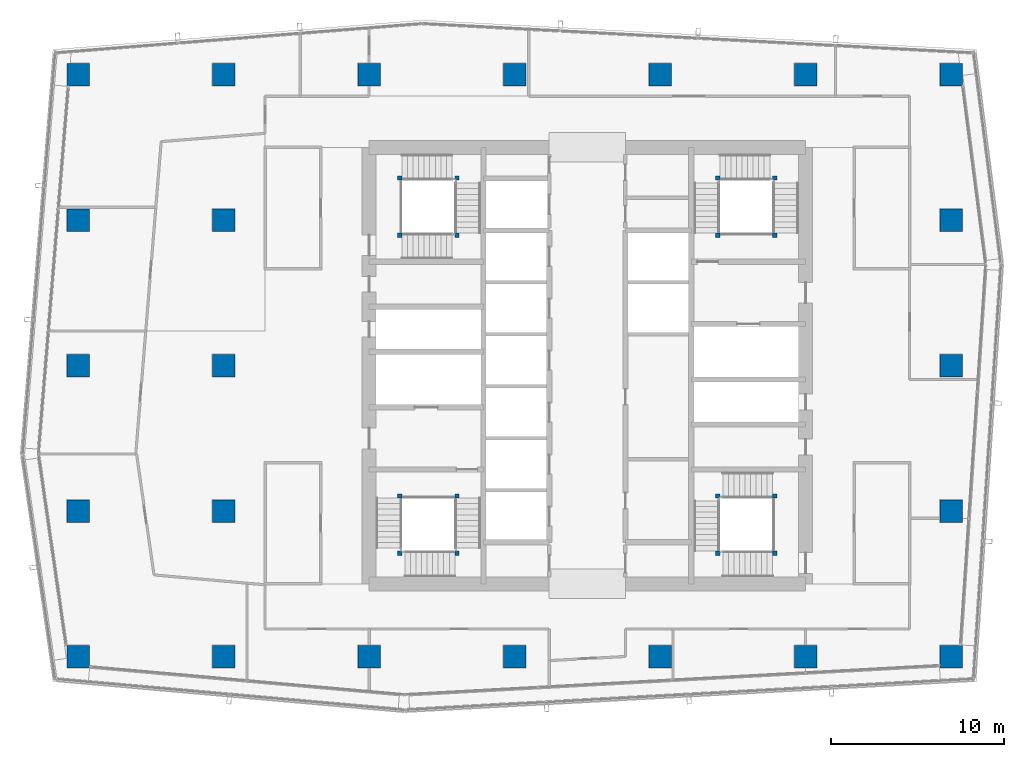
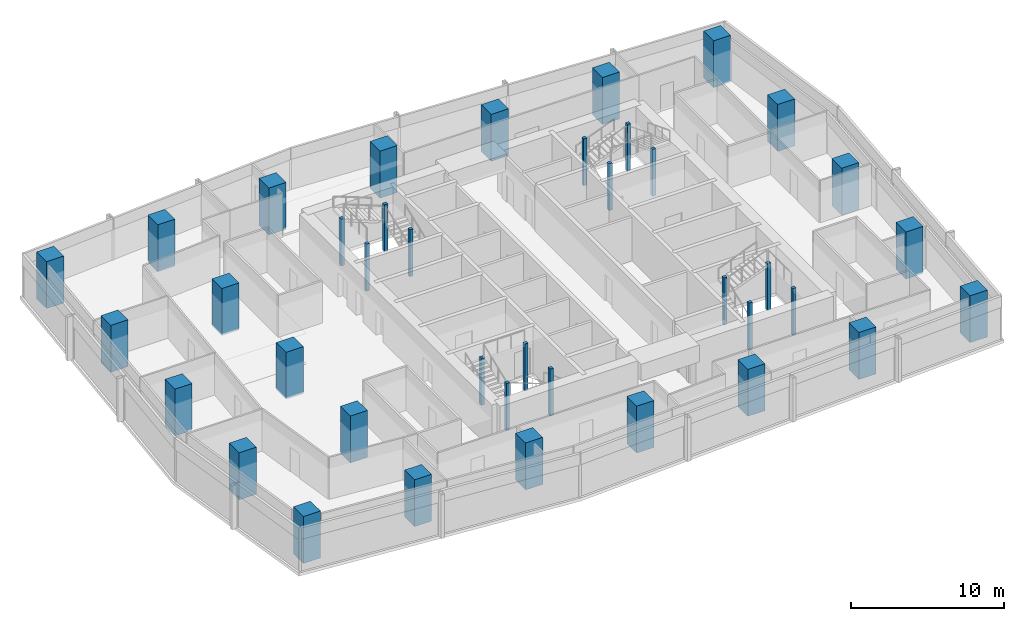
# One storey, part 1 of 29: 39 columns.
"""IFC4 building model written with IfcOpenShell, lengths in metres."""

from ifc_helpers import new_model, si_unit, direction, frame, origin, origin_2d, place, context, subcontext, project, spatial, rectangle, extrude, material, material_profile, profile_set, type_object, element, save


model = new_model("IFC4")

# Units and contexts
model_context = context("Model", 3, precision=1e-05, world=origin(), true_north=direction((0.0, 1.0)))
body_context = subcontext(model_context, "Body", "Model", "MODEL_VIEW")
ifc_project = project(units=[si_unit("LENGTHUNIT", "METRE"), si_unit("AREAUNIT", "SQUARE_METRE"), si_unit("VOLUMEUNIT", "CUBIC_METRE"), si_unit("PLANEANGLEUNIT", "RADIAN"), si_unit("MASSUNIT", "GRAM", prefix="KILO")], contexts=[model_context])

# Site, building, storey
site_placement = place(None, origin())
site = spatial("IfcSite", under=ifc_project, at=site_placement, CompositionType="ELEMENT")
building_placement = place(site_placement, origin())
building = spatial("IfcBuilding", under=site, at=building_placement, Name="Rekha Terrace Tower", CompositionType="ELEMENT")
storey_placement = place(building_placement, frame((0.0, 0.0, 280.10009765625)))
storey = spatial("IfcBuildingStorey", under=building, at=storey_placement, Name="L71", CompositionType="ELEMENT", Elevation=280.10009765625)

# Columns
ifc_material_1 = material(Name="Concrete M70", Category="concrete")
ifc_material_profile_1 = material_profile(ifc_material_1, rectangle(XDim=1.300048828125, YDim=1.300048828125, at=origin_2d()), Name="RC 1300x1300")
ifc_profile_set_1 = profile_set([ifc_material_profile_1], Name="Concrete M70")
column_type_1 = type_object("IfcColumnType", Name="C5C 1300x1300 column", PredefinedType="COLUMN", material=ifc_profile_set_1)
for number, where, z_axis, x_axis, name in (
    (1, (8.39990234375, 16.800048828125, 0.0), (0.0, 0.0, 1.0), (1.0, 0.0, 0.0), "Column C5C 2/C L71"),
    (2, (8.39990234375, 25.199951171875, 0.0), (0.0, 0.0, 1.0), (1.0, 0.0, 0.0), "Column C5C 2/D L71"),
    (3, (8.39990234375, 33.60009765625, 0.0), (0.0, 0.0, 1.0), (1.0, 0.0, 0.0), "Column C5C 2/E L71"),
    (4, (8.39990234375, 42.0, 0.0), (0.0, 0.0, 1.0), (1.0, 0.0, 0.0), "Column C5C 2/F L71"),
    (5, (8.39990234375, 50.39990234375, 0.0), (0.0, 0.0, 1.0), (1.0, 0.0, 0.0), "Column C5C 2/G L71"),
    (6, (16.800048828125, 16.800048828125, 0.0), (0.0, 0.0, 1.0), (1.0, 0.0, 0.0), "Column C5C 3/C L71"),
    (7, (16.800048828125, 25.199951171875, 0.0), (0.0, 0.0, 1.0), (1.0, 0.0, 0.0), "Column C5C 3/D L71"),
    (8, (16.800048828125, 33.60009765625, 0.0), (0.0, 0.0, 1.0), (1.0, 0.0, 0.0), "Column C5C 3/E L71"),
    (9, (16.800048828125, 42.0, 0.0), (0.0, 0.0, 1.0), (1.0, 0.0, 0.0), "Column C5C 3/F L71"),
    (10, (16.800048828125, 50.39990234375, 0.0), (0.0, 0.0, 1.0), (1.0, 0.0, 0.0), "Column C5C 3/G L71"),
    (11, (25.199951171875, 16.800048828125, 0.0), (0.0, 0.0, 1.0), (1.0, 0.0, 0.0), "Column C5C 4/C L71"),
    (12, (25.199951171875, 50.39990234375, 0.0), (0.0, 0.0, 1.0), (1.0, 0.0, 0.0), "Column C5C 4/G L71"),
    (13, (33.60009765625, 16.800048828125, 0.0), (0.0, 0.0, 1.0), (1.0, 0.0, 0.0), "Column C5C 5/C L71"),
    (14, (33.60009765625, 50.39990234375, 0.0), (0.0, 0.0, 1.0), (1.0, 0.0, 0.0), "Column C5C 5/G L71"),
    (15, (42.0, 16.800048828125, 0.0), (0.0, 0.0, 1.0), (1.0, 0.0, 0.0), "Column C5C 6/C L71"),
    (16, (42.0, 50.39990234375, 0.0), (0.0, 0.0, 1.0), (1.0, 0.0, 0.0), "Column C5C 6/G L71"),
    (17, (50.39990234375, 16.800048828125, 0.0), (0.0, 0.0, 1.0), (1.0, 0.0, 0.0), "Column C5C 7/C L71"),
    (18, (50.39990234375, 50.39990234375, 0.0), (0.0, 0.0, 1.0), (1.0, 0.0, 0.0), "Column C5C 7/G L71"),
    (19, (58.800048828125, 16.800048828125, 0.0), (0.0, 0.0, 1.0), (1.0, 0.0, 0.0), "Column C5C 8/C L71"),
    (20, (58.800048828125, 25.199951171875, 0.0), (0.0, 0.0, 1.0), (1.0, 0.0, 0.0), "Column C5C 8/D L71"),
    (21, (58.800048828125, 33.60009765625, 0.0), (0.0, 0.0, 1.0), (1.0, 0.0, 0.0), "Column C5C 8/E L71"),
    (22, (58.800048828125, 42.0, 0.0), (0.0, 0.0, 1.0), (1.0, 0.0, 0.0), "Column C5C 8/F L71"),
    (23, (58.800048828125, 50.39990234375, 0.0), (0.0, 0.0, 1.0), (1.0, 0.0, 0.0), "Column C5C 8/G L71"),
):
    element("IfcColumn", number, at=place(storey_placement, frame(where, z_axis=z_axis, x_axis=x_axis)), inside=storey, type_object=column_type_1, Name=name, PredefinedType="COLUMN", context=body_context, shape_type="SweptSolid", body=[
        extrude(rectangle(XDim=1.300048828125, YDim=1.300048828125, at=origin_2d()), origin(), (0.0, 0.0, 1.0), 3.75),
    ])
ifc_material_2 = material(Name="Concrete M60", Category="concrete")
ifc_material_profile_2 = material_profile(ifc_material_2, rectangle(XDim=0.25, YDim=0.25, at=origin_2d()), Name="RC 250x250")
ifc_profile_set_2 = profile_set([ifc_material_profile_2], Name="Concrete M60")
column_type_2 = type_object("IfcColumnType", Name="NP1 250x250 stair newel post", PredefinedType="COLUMN", material=ifc_profile_set_2)
for number, where, z_axis, x_axis, name in (
    (24, (30.27490234375, 26.074951171875, 0.0), (0.0, 0.0, 1.0), (1.0, 0.0, 0.0), "Stair newel post NP1"),
    (25, (30.27490234375, 22.77490234375, 0.0), (0.0, 0.0, 1.0), (1.0, 0.0, 0.0), "Stair newel post NP1"),
    (26, (26.97509765625, 22.77490234375, 0.0), (0.0, 0.0, 1.0), (1.0, 0.0, 0.0), "Stair newel post NP1"),
    (27, (26.97509765625, 26.074951171875, 0.0), (0.0, 0.0, 1.0), (1.0, 0.0, 0.0), "Stair newel post NP1"),
    (28, (45.324951171875, 41.125, 0.0), (0.0, 0.0, 1.0), (1.0, 0.0, 0.0), "Stair newel post NP1"),
    (29, (45.324951171875, 44.425048828125, 0.0), (0.0, 0.0, 1.0), (1.0, 0.0, 0.0), "Stair newel post NP1"),
    (30, (48.625, 44.425048828125, 0.0), (0.0, 0.0, 1.0), (1.0, 0.0, 0.0), "Stair newel post NP1"),
    (31, (48.625, 41.125, 0.0), (0.0, 0.0, 1.0), (1.0, 0.0, 0.0), "Stair newel post NP1"),
    (32, (48.625, 22.77490234375, 0.0), (0.0, 0.0, 1.0), (1.0, 0.0, 0.0), "Stair newel post NP1"),
    (33, (45.324951171875, 22.77490234375, 0.0), (0.0, 0.0, 1.0), (1.0, 0.0, 0.0), "Stair newel post NP1"),
    (34, (45.324951171875, 26.074951171875, 0.0), (0.0, 0.0, 1.0), (1.0, 0.0, 0.0), "Stair newel post NP1"),
    (35, (48.625, 26.074951171875, 0.0), (0.0, 0.0, 1.0), (1.0, 0.0, 0.0), "Stair newel post NP1"),
    (36, (26.97509765625, 41.125, 0.0), (0.0, 0.0, 1.0), (1.0, 0.0, 0.0), "Stair newel post NP1"),
    (37, (30.27490234375, 41.125, 0.0), (0.0, 0.0, 1.0), (1.0, 0.0, 0.0), "Stair newel post NP1"),
    (38, (30.27490234375, 44.425048828125, 0.0), (0.0, 0.0, 1.0), (1.0, 0.0, 0.0), "Stair newel post NP1"),
    (39, (26.97509765625, 44.425048828125, 0.0), (0.0, 0.0, 1.0), (1.0, 0.0, 0.0), "Stair newel post NP1"),
):
    element("IfcColumn", number, at=place(storey_placement, frame(where, z_axis=z_axis, x_axis=x_axis)), inside=storey, type_object=column_type_2, Name=name, PredefinedType="COLUMN", context=body_context, shape_type="SweptSolid", body=[
        extrude(rectangle(XDim=0.25, YDim=0.25, at=origin_2d()), origin(), (0.0, 0.0, 1.0), 3.75),
    ])

save(model, "model.ifc")
